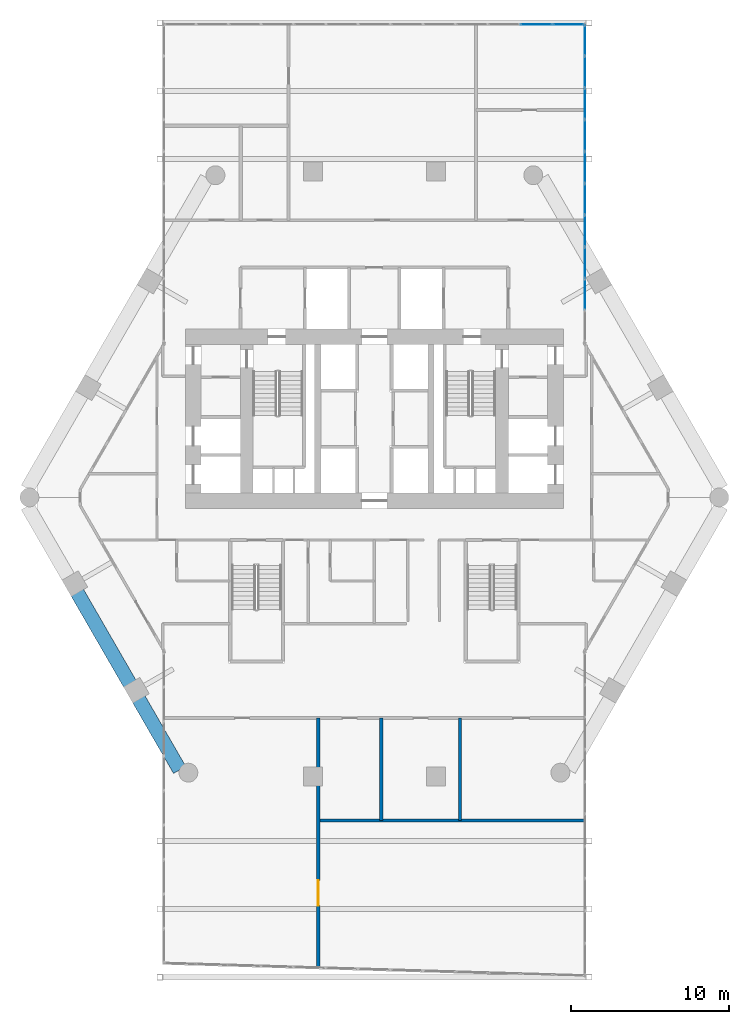
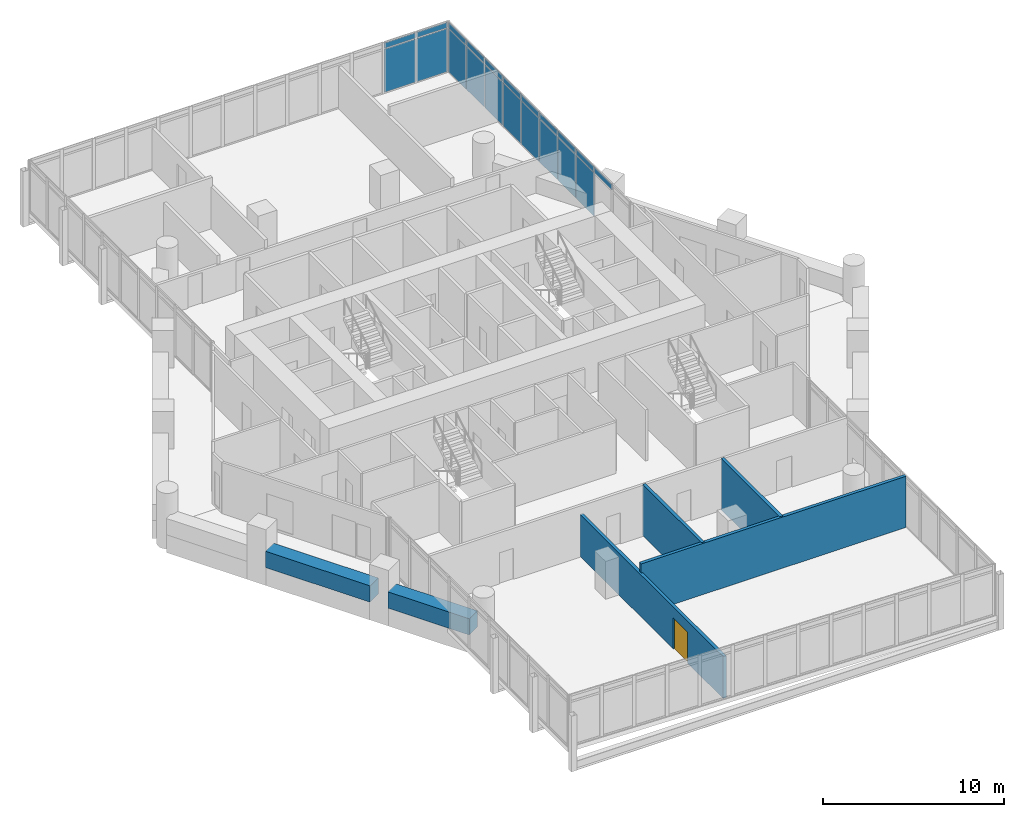
# One storey, part 22 of 28: 21 plates, 6 walls, 1 door, 1 opening, 2 elements without a shape of their own.
"""IFC4 building model written with IfcOpenShell, lengths in metres."""

from ifc_helpers import new_model, si_unit, direction, frame, frame_2d, origin, origin_2d, place, context, subcontext, project, spatial, rectangle, extrude, material, layer, layer_set, type_object, element, fill, aggregate, save


model = new_model("IFC4")

# Units and contexts
model_context = context("Model", 3, precision=1e-05, world=origin(), true_north=direction((0.0, 1.0)))
body_context = subcontext(model_context, "Body", "Model", "MODEL_VIEW")
ifc_project = project(units=[si_unit("LENGTHUNIT", "METRE"), si_unit("AREAUNIT", "SQUARE_METRE"), si_unit("VOLUMEUNIT", "CUBIC_METRE"), si_unit("PLANEANGLEUNIT", "RADIAN"), si_unit("MASSUNIT", "GRAM", prefix="KILO")], contexts=[model_context])

# Site, building, storey
site_placement = place(None, origin())
site = spatial("IfcSite", under=ifc_project, at=site_placement, CompositionType="ELEMENT")
building_placement = place(site_placement, origin())
building = spatial("IfcBuilding", under=site, at=building_placement, Name="Ostrander Bayou Hotel Tower", CompositionType="ELEMENT")
storey_placement = place(building_placement, frame((0.0, 0.0, 134.75)))
storey = spatial("IfcBuildingStorey", under=building, at=storey_placement, Name="L33", CompositionType="ELEMENT", Elevation=134.75)

# Curtain wall, plates
ifc_material_1 = material(Name="Aluminium and clear glass", Category="aluminium")
curtain_wall_type = type_object("IfcCurtainWallType", Name="CW-BAR glazed wall", PredefinedType="NOTDEFINED", material=ifc_material_1)
curtain_wall_1_placement = place(storey_placement, origin())
curtain_wall_1 = element("IfcCurtainWall", 1, at=curtain_wall_1_placement, inside=storey, type_object=curtain_wall_type, Name="CW-BAR L33:SB3N:T", PredefinedType="NOTDEFINED")
ifc_material_2 = material(Name="Clear laminated glass", Category="glass")
ifc_layer_1 = layer(ifc_material_2, 0.028076171875)
ifc_layer_set_1 = layer_set([ifc_layer_1], Name="CW-BR glazing panel 28 mm")
plate_type = type_object("IfcPlateType", Name="CW-BR glazing panel 28 mm", PredefinedType="CURTAIN_PANEL", material=ifc_layer_set_1)
plate_1_placement = place(storey_placement, frame((10.282470703125, 29.037109375, 0.06005859375), z_axis=(0.0, 0.0, 1.0), x_axis=(1.0, 0.0, 0.0)))
plate_1 = element("IfcPlate", 2, at=plate_1_placement, type_object=plate_type, Name="CW-BAR panel 12.1", PredefinedType="CURTAIN_PANEL", context=body_context, shape_type="SweptSolid", body=[
    extrude(rectangle(XDim=1.99658203125, YDim=0.028076171875, at=origin_2d()), origin(), (0.0, 0.0, 1.0), 2.909912109375),
])
plate_2_placement = place(storey_placement, frame((10.282470703125, 29.037109375, 3.02978515625), z_axis=(0.0, 0.0, 1.0), x_axis=(1.0, 0.0, 0.0)))
plate_2 = element("IfcPlate", 3, at=plate_2_placement, type_object=plate_type, Name="CW-BAR panel 12.2", PredefinedType="CURTAIN_PANEL", context=body_context, shape_type="SweptSolid", body=[
    extrude(rectangle(XDim=1.99658203125, YDim=0.028076171875, at=origin_2d()), origin(), (0.0, 0.0, 1.0), 0.360107421875),
])
plate_3_placement = place(storey_placement, frame((12.323974609375, 29.037109375, 0.06005859375), z_axis=(0.0, 0.0, 1.0), x_axis=(1.0, 0.0, 0.0)))
plate_3 = element("IfcPlate", 4, at=plate_3_placement, type_object=plate_type, Name="CW-BAR panel 13.1", PredefinedType="CURTAIN_PANEL", context=body_context, shape_type="SweptSolid", body=[
    extrude(rectangle(XDim=1.966552734375, YDim=0.028076171875, at=origin_2d()), origin(), (0.0, 0.0, 1.0), 2.909912109375),
])
plate_4_placement = place(storey_placement, frame((12.323974609375, 29.037109375, 3.02978515625), z_axis=(0.0, 0.0, 1.0), x_axis=(1.0, 0.0, 0.0)))
plate_4 = element("IfcPlate", 5, at=plate_4_placement, type_object=plate_type, Name="CW-BAR panel 13.2", PredefinedType="CURTAIN_PANEL", context=body_context, shape_type="SweptSolid", body=[
    extrude(rectangle(XDim=1.966552734375, YDim=0.028076171875, at=origin_2d()), origin(), (0.0, 0.0, 1.0), 0.360107421875),
])
aggregate(curtain_wall_1, [plate_1, plate_2, plate_3, plate_4])

curtain_wall_2_placement = place(storey_placement, origin())
curtain_wall_2 = element("IfcCurtainWall", 6, at=curtain_wall_2_placement, inside=storey, type_object=curtain_wall_type, Name="CW-BAR L33:SB3N:W", PredefinedType="NOTDEFINED")
plate_5_placement = place(storey_placement, frame((13.3671875, 11.887939453125, 3.02978515625), z_axis=(0.0, 0.0, 1.0), x_axis=(0.0, 1.0, 0.0)))
plate_5 = element("IfcPlate", 7, at=plate_5_placement, type_object=plate_type, Name="CW-BAR panel 2.2", PredefinedType="CURTAIN_PANEL", context=body_context, shape_type="SweptSolid", body=[
    extrude(rectangle(XDim=1.95751953125, YDim=0.028076171875, at=origin_2d()), origin(), (0.0, 0.0, 1.0), 0.360107421875),
])
plate_6_placement = place(storey_placement, frame((13.3671875, 13.905517578125, 0.06005859375), z_axis=(0.0, 0.0, 1.0), x_axis=(0.0, 1.0, 0.0)))
plate_6 = element("IfcPlate", 8, at=plate_6_placement, type_object=plate_type, Name="CW-BAR panel 3.1", PredefinedType="CURTAIN_PANEL", context=body_context, shape_type="SweptSolid", body=[
    extrude(rectangle(XDim=1.95751953125, YDim=0.028076171875, at=origin_2d()), origin(), (0.0, 0.0, 1.0), 2.909912109375),
])
plate_7_placement = place(storey_placement, frame((13.3671875, 13.905517578125, 3.02978515625), z_axis=(0.0, 0.0, 1.0), x_axis=(0.0, 1.0, 0.0)))
plate_7 = element("IfcPlate", 9, at=plate_7_placement, type_object=plate_type, Name="CW-BAR panel 3.2", PredefinedType="CURTAIN_PANEL", context=body_context, shape_type="SweptSolid", body=[
    extrude(rectangle(XDim=1.95751953125, YDim=0.028076171875, at=origin_2d()), origin(), (0.0, 0.0, 1.0), 0.360107421875),
])
plate_8_placement = place(storey_placement, frame((13.3671875, 15.923095703125, 0.06005859375), z_axis=(0.0, 0.0, 1.0), x_axis=(0.0, 1.0, 0.0)))
plate_8 = element("IfcPlate", 10, at=plate_8_placement, type_object=plate_type, Name="CW-BAR panel 4.1", PredefinedType="CURTAIN_PANEL", context=body_context, shape_type="SweptSolid", body=[
    extrude(rectangle(XDim=1.95751953125, YDim=0.028076171875, at=origin_2d()), origin(), (0.0, 0.0, 1.0), 2.909912109375),
])
plate_9_placement = place(storey_placement, frame((13.3671875, 15.923095703125, 3.02978515625), z_axis=(0.0, 0.0, 1.0), x_axis=(0.0, 1.0, 0.0)))
plate_9 = element("IfcPlate", 11, at=plate_9_placement, type_object=plate_type, Name="CW-BAR panel 4.2", PredefinedType="CURTAIN_PANEL", context=body_context, shape_type="SweptSolid", body=[
    extrude(rectangle(XDim=1.95751953125, YDim=0.028076171875, at=origin_2d()), origin(), (0.0, 0.0, 1.0), 0.360107421875),
])
plate_10_placement = place(storey_placement, frame((13.3671875, 17.940673828125, 0.06005859375), z_axis=(0.0, 0.0, 1.0), x_axis=(0.0, 1.0, 0.0)))
plate_10 = element("IfcPlate", 12, at=plate_10_placement, type_object=plate_type, Name="CW-BAR panel 5.1", PredefinedType="CURTAIN_PANEL", context=body_context, shape_type="SweptSolid", body=[
    extrude(rectangle(XDim=1.95751953125, YDim=0.028076171875, at=origin_2d()), origin(), (0.0, 0.0, 1.0), 2.909912109375),
])
plate_11_placement = place(storey_placement, frame((13.3671875, 17.940673828125, 3.02978515625), z_axis=(0.0, 0.0, 1.0), x_axis=(0.0, 1.0, 0.0)))
plate_11 = element("IfcPlate", 13, at=plate_11_placement, type_object=plate_type, Name="CW-BAR panel 5.2", PredefinedType="CURTAIN_PANEL", context=body_context, shape_type="SweptSolid", body=[
    extrude(rectangle(XDim=1.95751953125, YDim=0.028076171875, at=origin_2d()), origin(), (0.0, 0.0, 1.0), 0.360107421875),
])
plate_12_placement = place(storey_placement, frame((13.3671875, 19.958251953125, 0.06005859375), z_axis=(0.0, 0.0, 1.0), x_axis=(0.0, 1.0, 0.0)))
plate_12 = element("IfcPlate", 14, at=plate_12_placement, type_object=plate_type, Name="CW-BAR panel 6.1", PredefinedType="CURTAIN_PANEL", context=body_context, shape_type="SweptSolid", body=[
    extrude(rectangle(XDim=1.95751953125, YDim=0.028076171875, at=origin_2d()), origin(), (0.0, 0.0, 1.0), 2.909912109375),
])
plate_13_placement = place(storey_placement, frame((13.3671875, 19.958251953125, 3.02978515625), z_axis=(0.0, 0.0, 1.0), x_axis=(0.0, 1.0, 0.0)))
plate_13 = element("IfcPlate", 15, at=plate_13_placement, type_object=plate_type, Name="CW-BAR panel 6.2", PredefinedType="CURTAIN_PANEL", context=body_context, shape_type="SweptSolid", body=[
    extrude(rectangle(XDim=1.95751953125, YDim=0.028076171875, at=origin_2d()), origin(), (0.0, 0.0, 1.0), 0.360107421875),
])
plate_14_placement = place(storey_placement, frame((13.3671875, 21.975830078125, 0.06005859375), z_axis=(0.0, 0.0, 1.0), x_axis=(0.0, 1.0, 0.0)))
plate_14 = element("IfcPlate", 16, at=plate_14_placement, type_object=plate_type, Name="CW-BAR panel 7.1", PredefinedType="CURTAIN_PANEL", context=body_context, shape_type="SweptSolid", body=[
    extrude(rectangle(XDim=1.95751953125, YDim=0.028076171875, at=origin_2d()), origin(), (0.0, 0.0, 1.0), 2.909912109375),
])
plate_15_placement = place(storey_placement, frame((13.3671875, 21.975830078125, 3.02978515625), z_axis=(0.0, 0.0, 1.0), x_axis=(0.0, 1.0, 0.0)))
plate_15 = element("IfcPlate", 17, at=plate_15_placement, type_object=plate_type, Name="CW-BAR panel 7.2", PredefinedType="CURTAIN_PANEL", context=body_context, shape_type="SweptSolid", body=[
    extrude(rectangle(XDim=1.95751953125, YDim=0.028076171875, at=origin_2d()), origin(), (0.0, 0.0, 1.0), 0.360107421875),
])
plate_16_placement = place(storey_placement, frame((13.3671875, 23.9931640625, 0.06005859375), z_axis=(0.0, 0.0, 1.0), x_axis=(0.0, 1.0, 0.0)))
plate_16 = element("IfcPlate", 18, at=plate_16_placement, type_object=plate_type, Name="CW-BAR panel 8.1", PredefinedType="CURTAIN_PANEL", context=body_context, shape_type="SweptSolid", body=[
    extrude(rectangle(XDim=1.95751953125, YDim=0.028076171875, at=origin_2d()), origin(), (0.0, 0.0, 1.0), 2.909912109375),
])
plate_17_placement = place(storey_placement, frame((13.3671875, 23.9931640625, 3.02978515625), z_axis=(0.0, 0.0, 1.0), x_axis=(0.0, 1.0, 0.0)))
plate_17 = element("IfcPlate", 19, at=plate_17_placement, type_object=plate_type, Name="CW-BAR panel 8.2", PredefinedType="CURTAIN_PANEL", context=body_context, shape_type="SweptSolid", body=[
    extrude(rectangle(XDim=1.95751953125, YDim=0.028076171875, at=origin_2d()), origin(), (0.0, 0.0, 1.0), 0.360107421875),
])
plate_18_placement = place(storey_placement, frame((13.3671875, 26.0107421875, 0.06005859375), z_axis=(0.0, 0.0, 1.0), x_axis=(0.0, 1.0, 0.0)))
plate_18 = element("IfcPlate", 20, at=plate_18_placement, type_object=plate_type, Name="CW-BAR panel 9.1", PredefinedType="CURTAIN_PANEL", context=body_context, shape_type="SweptSolid", body=[
    extrude(rectangle(XDim=1.95751953125, YDim=0.028076171875, at=origin_2d()), origin(), (0.0, 0.0, 1.0), 2.909912109375),
])
plate_19_placement = place(storey_placement, frame((13.3671875, 26.0107421875, 3.02978515625), z_axis=(0.0, 0.0, 1.0), x_axis=(0.0, 1.0, 0.0)))
plate_19 = element("IfcPlate", 21, at=plate_19_placement, type_object=plate_type, Name="CW-BAR panel 9.2", PredefinedType="CURTAIN_PANEL", context=body_context, shape_type="SweptSolid", body=[
    extrude(rectangle(XDim=1.95751953125, YDim=0.028076171875, at=origin_2d()), origin(), (0.0, 0.0, 1.0), 0.360107421875),
])
plate_20_placement = place(storey_placement, frame((13.3671875, 28.013427734375, 0.06005859375), z_axis=(0.0, 0.0, 1.0), x_axis=(0.0, 1.0, 0.0)))
plate_20 = element("IfcPlate", 22, at=plate_20_placement, type_object=plate_type, Name="CW-BAR panel 10.1", PredefinedType="CURTAIN_PANEL", context=body_context, shape_type="SweptSolid", body=[
    extrude(rectangle(XDim=1.927490234375, YDim=0.028076171875, at=origin_2d()), origin(), (0.0, 0.0, 1.0), 2.909912109375),
])
plate_21_placement = place(storey_placement, frame((13.3671875, 28.013427734375, 3.02978515625), z_axis=(0.0, 0.0, 1.0), x_axis=(0.0, 1.0, 0.0)))
plate_21 = element("IfcPlate", 23, at=plate_21_placement, type_object=plate_type, Name="CW-BAR panel 10.2", PredefinedType="CURTAIN_PANEL", context=body_context, shape_type="SweptSolid", body=[
    extrude(rectangle(XDim=1.927490234375, YDim=0.028076171875, at=origin_2d()), origin(), (0.0, 0.0, 1.0), 0.360107421875),
])
aggregate(curtain_wall_2, [plate_5, plate_6, plate_7, plate_8, plate_9, plate_10, plate_11, plate_12, plate_13, plate_14, plate_15, plate_16, plate_17, plate_18, plate_19, plate_20, plate_21])

# Walls
ifc_material_3 = material(Name="Limestone masonry", Category="masonry")
ifc_layer_2 = layer(ifc_material_3, 0.89990234375)
ifc_layer_set_2 = layer_set([ifc_layer_2], Name="PA2 limestone parapet 900 mm")
wall_type_1 = type_object("IfcWallType", Name="PA2 limestone parapet 900 mm", PredefinedType="PARAPET", material=ifc_layer_set_2)
wall_1_placement = place(storey_placement, frame((-18.85888671875, -7.035400390625, 0.0), z_axis=(0.0, 0.0, 1.0), x_axis=(0.499999023957, -0.866025967302, 0.0)))
element("IfcWall", 24, at=wall_1_placement, inside=storey, type_object=wall_type_1, Name="PA2 L33 SW-2", PredefinedType="PARAPET", context=body_context, shape_type="SweptSolid", body=[
    extrude(rectangle(XDim=6.67333984375, YDim=0.89990234375, at=frame_2d((3.336669921875, 0.0))), origin(), (0.0, 0.0, 1.0), 1.10009765625),
])
wall_2_placement = place(storey_placement, frame((-14.9521484375, -13.802001953125, 0.0), z_axis=(0.0, 0.0, 1.0), x_axis=(0.499996813733, -0.866027243369, 0.0)))
element("IfcWall", 25, at=wall_2_placement, inside=storey, type_object=wall_type_1, Name="PA2 L33 SW-3", PredefinedType="PARAPET", context=body_context, shape_type="SweptSolid", body=[
    extrude(rectangle(XDim=5.1865234375, YDim=0.89990234375, at=frame_2d((2.59326171875, 0.0))), origin(), (0.0, 0.0, 1.0), 1.10009765625),
])
ifc_material_4 = material(Name="Gypsum board partition", Category="finish")
ifc_layer_3 = layer(ifc_material_4, 0.199951171875)
ifc_layer_set_3 = layer_set([ifc_layer_3], Name="PT3 demising wall 200 mm acoustic double stud, 1 hour")
wall_type_2 = type_object("IfcWallType", Name="PT3 demising wall 200 mm acoustic double stud, 1 hour", PredefinedType="PARTITIONING", material=ifc_layer_set_3)
wall_3_placement = place(storey_placement, frame((-3.557861328125, -21.5, 0.0), z_axis=(0.0, 0.0, 1.0), x_axis=(1.0, 0.0, 0.0)))
element("IfcWall", 26, at=wall_3_placement, inside=storey, type_object=wall_type_2, Name="sw:L33:502", PredefinedType="PARTITIONING", context=body_context, shape_type="SweptSolid", body=[
    extrude(rectangle(XDim=16.906005859375, YDim=0.199951171875, at=frame_2d((8.453125, 0.0))), origin(), (0.0, 0.0, 1.0), 3.449951171875),
])

# Wall, opening, door
wall_4_placement = place(storey_placement, frame((-3.55810546875, -30.8251953125, 0.0), z_axis=(0.0, 0.0, 1.0), x_axis=(0.0, 1.0, 0.0)))
wall_4 = element("IfcWall", 27, at=wall_4_placement, inside=storey, type_object=wall_type_2, Name="sw:L33:507", PredefinedType="PARTITIONING", context=body_context, shape_type="SweptSolid", body=[
    extrude(rectangle(XDim=15.8251953125, YDim=0.199951171875, at=frame_2d((7.91259765625, 0.0))), origin(), (0.0, 0.0, 1.0), 2.828125),
])
opening_placement = place(wall_4_placement, frame((3.918212890625, 0.0, 0.0)))
opening = element("IfcOpeningElement", 28, at=opening_placement, cuts=wall_4, Name="Opening T32-1204", PredefinedType="OPENING", context=body_context, shape_type="SweptSolid", body=[
    extrude(rectangle(XDim=1.60009765625, YDim=2.10009765625, at=frame_2d((0.800048828125, 1.050048828125))), frame((0.0, 0.10009765625, 0.0), z_axis=(0.0, -1.0, 0.0), x_axis=(1.0, 0.0, 0.0)), (0.0, 0.0, 1.0), 0.199951171875),
])
ifc_material_5 = material(Name="Timber door leaf", Category="wood")
door_type = type_object("IfcDoorType", Name="D13 double door 1600 x 2100 mm, 1 hour", OperationType="SINGLE_SWING_LEFT", PredefinedType="DOOR", material=ifc_material_5)
door_placement = place(opening_placement, origin())
door = element("IfcDoor", 29, at=door_placement, inside=storey, type_object=door_type, Name="dr:L33:1204", OperationType="DOUBLE_DOOR_SINGLE_SWING", OverallHeight=2.10009765625, OverallWidth=1.60009765625, PredefinedType="DOOR", context=body_context, shape_type="SweptSolid", body=[
    extrude(rectangle(XDim=1.60009765625, YDim=2.10009765625, at=frame_2d((0.800048828125, 1.050048828125))), frame((0.0, 0.02490234375, 0.0), z_axis=(0.0, -1.0, 0.0), x_axis=(1.0, 0.0, 0.0)), (0.0, 0.0, 1.0), 0.050048828125),
])
fill(opening, door)

# Walls
for number, where, z_axis, x_axis, name in (
    (30, (0.44189453125, -21.5, 0.0), (0.0, 0.0, 1.0), (0.0, 1.0, 0.0), "sw:L33:508"),
    (31, (5.44189453125, -21.5, 0.0), (0.0, 0.0, 1.0), (0.0, 1.0, 0.0), "sw:L33:509"),
):
    element("IfcWall", number, at=place(storey_placement, frame(where, z_axis=z_axis, x_axis=x_axis)), inside=storey, type_object=wall_type_2, Name=name, PredefinedType="PARTITIONING", context=body_context, shape_type="SweptSolid", body=[
        extrude(rectangle(XDim=6.5, YDim=0.199951171875, at=frame_2d((3.25, 0.0))), origin(), (0.0, 0.0, 1.0), 3.449951171875),
    ])

save(model, "model.ifc")
